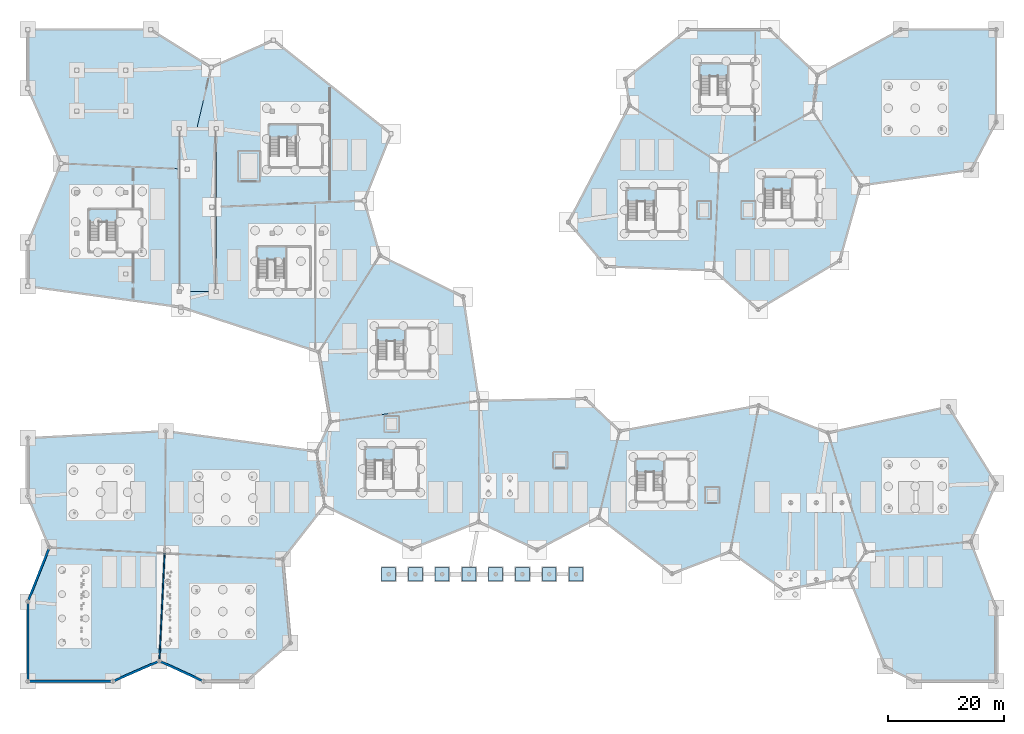
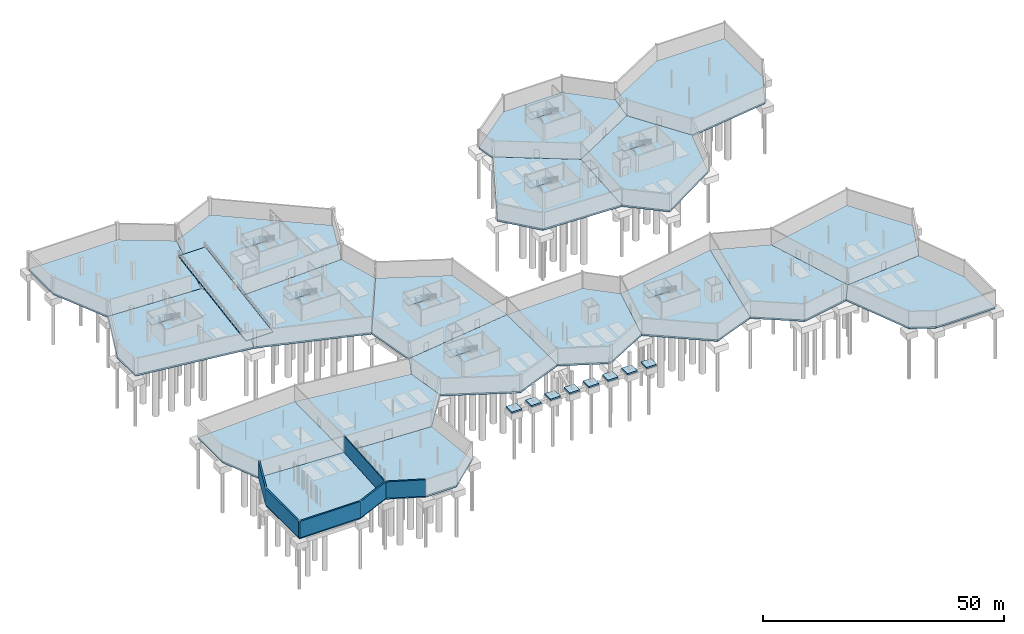
# One storey, part 25 of 37: 37 slabs, 6 walls, 9 elements without a shape of their own.
"""IFC4 building model written with IfcOpenShell, lengths in metres."""

from ifc_helpers import new_model, si_unit, direction, frame, frame_2d, origin, origin_with_axes, place, context, subcontext, project, spatial, polyline, rectangle, outline, extrude, material, layer, layer_set, type_object, element, aggregate, save


model = new_model("IFC4")

# Units and contexts
model_context = context("Model", 3, precision=1e-05, world=origin(), true_north=direction((0.0, 1.0)))
body_context = subcontext(model_context, "Body", "Model", "MODEL_VIEW")
ifc_project = project(units=[si_unit("LENGTHUNIT", "METRE"), si_unit("AREAUNIT", "SQUARE_METRE"), si_unit("VOLUMEUNIT", "CUBIC_METRE"), si_unit("PLANEANGLEUNIT", "RADIAN"), si_unit("MASSUNIT", "GRAM", prefix="KILO")], contexts=[model_context])

# Site, building, storey
site_placement = place(None, origin())
site = spatial("IfcSite", under=ifc_project, at=site_placement, CompositionType="ELEMENT")
building_placement = place(site_placement, origin())
building = spatial("IfcBuilding", under=site, at=building_placement, Name="Tameran Prism Museum", CompositionType="ELEMENT")
storey_placement = place(building_placement, frame((0.0, 0.0, -4.5)))
storey = spatial("IfcBuildingStorey", under=building, at=storey_placement, Name="B1", CompositionType="ELEMENT", Elevation=-4.5)

# Slabs
ifc_material_1 = material(Name="Concrete N40 (40 MPa)", Category="concrete")
ifc_layer_1 = layer(ifc_material_1, 0.360107421875)
ifc_layer_set_1 = layer_set([ifc_layer_1])
slab_type_1 = type_object("IfcSlabType", Name="SL-BASE-360", PredefinedType="BASESLAB", material=ifc_layer_set_1)
slab_1_placement = place(storey_placement, frame((0.0, 0.0, -0.3798828125)))
element("IfcSlab", 1, at=slab_1_placement, inside=storey, type_object=slab_type_1, Name="Colonnade Foundation Slab 1", PredefinedType="BASESLAB", context=body_context, shape_type="SweptSolid", body=[
    extrude(outline(polyline([(63.199951171875, 19.60009765625), (63.199951171875, 17.199951171875), (60.800048828125, 17.199951171875), (60.800048828125, 19.60009765625), (63.199951171875, 19.60009765625)])), origin(), (0.0, 0.0, 1.0), 0.3798828125),
])
slab_2_placement = place(storey_placement, frame((0.0, 0.0, -0.3798828125)))
element("IfcSlab", 2, at=slab_2_placement, inside=storey, type_object=slab_type_1, Name="Colonnade Foundation Slab 2", PredefinedType="BASESLAB", context=body_context, shape_type="SweptSolid", body=[
    extrude(outline(polyline([(67.800048828125, 19.60009765625), (67.800048828125, 17.199951171875), (65.39990234375, 17.199951171875), (65.39990234375, 19.60009765625), (67.800048828125, 19.60009765625)])), origin(), (0.0, 0.0, 1.0), 0.3798828125),
])
slab_3_placement = place(storey_placement, frame((0.0, 0.0, -0.3798828125)))
element("IfcSlab", 3, at=slab_3_placement, inside=storey, type_object=slab_type_1, Name="Colonnade Foundation Slab 3", PredefinedType="BASESLAB", context=body_context, shape_type="SweptSolid", body=[
    extrude(outline(polyline([(72.39990234375, 19.60009765625), (72.39990234375, 17.199951171875), (70.0, 17.199951171875), (70.0, 19.60009765625), (72.39990234375, 19.60009765625)])), origin(), (0.0, 0.0, 1.0), 0.3798828125),
])
slab_4_placement = place(storey_placement, frame((0.0, 0.0, -0.3798828125)))
element("IfcSlab", 4, at=slab_4_placement, inside=storey, type_object=slab_type_1, Name="Colonnade Foundation Slab 4", PredefinedType="BASESLAB", context=body_context, shape_type="SweptSolid", body=[
    extrude(outline(polyline([(77.0, 19.60009765625), (77.0, 17.199951171875), (74.60009765625, 17.199951171875), (74.60009765625, 19.60009765625), (77.0, 19.60009765625)])), origin(), (0.0, 0.0, 1.0), 0.3798828125),
])
slab_5_placement = place(storey_placement, frame((0.0, 0.0, -0.3798828125)))
element("IfcSlab", 5, at=slab_5_placement, inside=storey, type_object=slab_type_1, Name="Colonnade Foundation Slab 5", PredefinedType="BASESLAB", context=body_context, shape_type="SweptSolid", body=[
    extrude(outline(polyline([(81.60009765625, 19.60009765625), (81.60009765625, 17.199951171875), (79.199951171875, 17.199951171875), (79.199951171875, 19.60009765625), (81.60009765625, 19.60009765625)])), origin(), (0.0, 0.0, 1.0), 0.3798828125),
])
slab_6_placement = place(storey_placement, frame((0.0, 0.0, -0.3798828125)))
element("IfcSlab", 6, at=slab_6_placement, inside=storey, type_object=slab_type_1, Name="Colonnade Foundation Slab 6", PredefinedType="BASESLAB", context=body_context, shape_type="SweptSolid", body=[
    extrude(outline(polyline([(86.199951171875, 19.60009765625), (86.199951171875, 17.199951171875), (83.800048828125, 17.199951171875), (83.800048828125, 19.60009765625), (86.199951171875, 19.60009765625)])), origin(), (0.0, 0.0, 1.0), 0.3798828125),
])
slab_7_placement = place(storey_placement, frame((0.0, 0.0, -0.3798828125)))
element("IfcSlab", 7, at=slab_7_placement, inside=storey, type_object=slab_type_1, Name="Colonnade Foundation Slab 7", PredefinedType="BASESLAB", context=body_context, shape_type="SweptSolid", body=[
    extrude(outline(polyline([(90.800048828125, 19.60009765625), (90.800048828125, 17.199951171875), (88.39990234375, 17.199951171875), (88.39990234375, 19.60009765625), (90.800048828125, 19.60009765625)])), origin(), (0.0, 0.0, 1.0), 0.3798828125),
])
slab_8_placement = place(storey_placement, frame((0.0, 0.0, -0.3798828125)))
element("IfcSlab", 8, at=slab_8_placement, inside=storey, type_object=slab_type_1, Name="Colonnade Foundation Slab 8", PredefinedType="BASESLAB", context=body_context, shape_type="SweptSolid", body=[
    extrude(outline(polyline([(95.39990234375, 19.60009765625), (95.39990234375, 17.199951171875), (93.0, 17.199951171875), (93.0, 19.60009765625), (95.39990234375, 19.60009765625)])), origin(), (0.0, 0.0, 1.0), 0.3798828125),
])
ifc_material_2 = material(Name="Concrete N40 (40 MPa)", Category="concrete")
ifc_layer_2 = layer(ifc_material_2, 0.419921875)
ifc_layer_set_2 = layer_set([ifc_layer_2])
slab_type_2 = type_object("IfcSlabType", Name="SL-BASE-420", PredefinedType="BASESLAB", material=ifc_layer_set_2)
slab_9_placement = place(storey_placement, frame((0.0, 0.0, -0.419921875)))
element("IfcSlab", 9, at=slab_9_placement, inside=storey, type_object=slab_type_2, Name="Basement Base Slab P01", PredefinedType="BASESLAB", context=body_context, shape_type="SweptSolid", body=[
    extrude(outline(polyline([(99.39990234375, 71.300048828125), (117.89990234375, 70.60009765625), (118.800048828125, 89.10009765625), (103.39990234375, 99.0), (92.89990234375, 78.89990234375), (99.39990234375, 71.300048828125)])), origin(), (0.0, 0.0, 1.0), 0.419921875),
])
slab_10_placement = place(storey_placement, frame((0.0, 0.0, -0.419921875)))
element("IfcSlab", 10, at=slab_10_placement, inside=storey, type_object=slab_type_2, Name="Basement Base Slab P02", PredefinedType="BASESLAB", context=body_context, shape_type="SweptSolid", body=[
    extrude(outline(polyline([(117.89990234375, 70.60009765625), (125.5, 63.89990234375), (139.5, 72.300048828125), (143.10009765625, 85.199951171875), (134.89990234375, 98.0), (118.800048828125, 89.10009765625), (117.89990234375, 70.60009765625)])), origin(), (0.0, 0.0, 1.0), 0.419921875),
])
slab_11_placement = place(storey_placement, frame((0.0, 0.0, -0.419921875)))
element("IfcSlab", 11, at=slab_11_placement, inside=storey, type_object=slab_type_2, Name="Basement Base Slab P03", PredefinedType="BASESLAB", context=body_context, shape_type="SweptSolid", body=[
    extrude(outline(polyline([(103.39990234375, 99.0), (118.800048828125, 89.10009765625), (134.89990234375, 98.0), (135.699951171875, 104.199951171875), (127.5, 112.0), (113.39990234375, 112.0), (102.699951171875, 103.5), (103.39990234375, 99.0)])), origin(), (0.0, 0.0, 1.0), 0.419921875),
])
slab_12_placement = place(storey_placement, frame((0.0, 0.0, -0.419921875)))
element("IfcSlab", 12, at=slab_12_placement, inside=storey, type_object=slab_type_2, Name="Basement Base Slab P04", PredefinedType="BASESLAB", context=body_context, shape_type="SweptSolid", body=[
    extrude(outline(polyline([(134.89990234375, 98.0), (143.10009765625, 85.199951171875), (162.10009765625, 87.89990234375), (166.39990234375, 96.10009765625), (166.39990234375, 112.0), (150.0, 112.0), (135.699951171875, 104.199951171875), (134.89990234375, 98.0)])), origin(), (0.0, 0.0, 1.0), 0.419921875),
])
slab_13_placement = place(storey_placement, frame((0.0, 0.0, -0.419921875)))
element("IfcSlab", 13, at=slab_13_placement, inside=storey, type_object=slab_type_2, Name="Basement Base Slab P05", PredefinedType="BASESLAB", context=body_context, shape_type="SweptSolid", body=[
    extrude(outline(polyline([(49.60009765625, 39.5), (51.0, 30.199951171875), (66.0, 22.800048828125), (77.5, 27.39990234375), (77.5, 48.199951171875), (52.0, 44.60009765625), (49.60009765625, 39.5)])), origin(), (0.0, 0.0, 1.0), 0.419921875),
])
slab_14_placement = place(storey_placement, frame((0.0, 0.0, -0.419921875)))
element("IfcSlab", 14, at=slab_14_placement, inside=storey, type_object=slab_type_2, Name="Basement Base Slab P06", PredefinedType="BASESLAB", context=body_context, shape_type="SweptSolid", body=[
    extrude(outline(polyline([(77.5, 27.39990234375), (87.5, 22.60009765625), (98.10009765625, 28.199951171875), (101.699951171875, 43.0), (95.800048828125, 48.60009765625), (77.5, 48.199951171875), (77.5, 27.39990234375)])), origin(), (0.0, 0.0, 1.0), 0.419921875),
])
slab_15_placement = place(storey_placement, frame((0.0, 0.0, -0.419921875)))
element("IfcSlab", 15, at=slab_15_placement, inside=storey, type_object=slab_type_2, Name="Basement Base Slab P07", PredefinedType="BASESLAB", context=body_context, shape_type="SweptSolid", body=[
    extrude(outline(polyline([(50.0, 56.60009765625), (52.0, 44.60009765625), (77.5, 48.199951171875), (74.800048828125, 66.10009765625), (60.5, 73.199951171875), (50.0, 56.60009765625)])), origin(), (0.0, 0.0, 1.0), 0.419921875),
])
slab_16_placement = place(storey_placement, frame((0.0, 0.0, -0.419921875)))
element("IfcSlab", 16, at=slab_16_placement, inside=storey, type_object=slab_type_2, Name="Basement Base Slab P08", PredefinedType="BASESLAB", context=body_context, shape_type="SweptSolid", body=[
    extrude(outline(polyline([(98.10009765625, 28.199951171875), (110.699951171875, 18.5), (120.699951171875, 22.300048828125), (125.60009765625, 47.39990234375), (101.699951171875, 43.0), (98.10009765625, 28.199951171875)])), origin(), (0.0, 0.0, 1.0), 0.419921875),
])
slab_17_placement = place(storey_placement, frame((0.0, 0.0, -0.419921875)))
element("IfcSlab", 17, at=slab_17_placement, inside=storey, type_object=slab_type_2, Name="Basement Base Slab P09", PredefinedType="BASESLAB", context=body_context, shape_type="SweptSolid", body=[
    extrude(outline(polyline([(137.5, 42.699951171875), (125.60009765625, 47.39990234375), (120.699951171875, 22.300048828125), (129.89990234375, 15.699951171875), (141.10009765625, 17.89990234375), (144.0, 22.199951171875), (137.5, 42.699951171875)])), origin(), (0.0, 0.0, 1.0), 0.419921875),
])
slab_18_placement = place(storey_placement, frame((0.0, 0.0, -0.419921875)))
element("IfcSlab", 18, at=slab_18_placement, inside=storey, type_object=slab_type_2, Name="Basement Base Slab P10", PredefinedType="BASESLAB", context=body_context, shape_type="SweptSolid", body=[
    extrude(outline(polyline([(141.10009765625, 17.89990234375), (147.300048828125, 2.60009765625), (152.300048828125, 0.0), (166.39990234375, 0.0), (166.39990234375, 12.60009765625), (162.0, 24.0), (144.0, 22.199951171875), (141.10009765625, 17.89990234375)])), origin(), (0.0, 0.0, 1.0), 0.419921875),
])
slab_19_placement = place(storey_placement, frame((0.0, 0.0, -0.419921875)))
element("IfcSlab", 19, at=slab_19_placement, inside=storey, type_object=slab_type_2, Name="Basement Base Slab P11", PredefinedType="BASESLAB", context=body_context, shape_type="SweptSolid", body=[
    extrude(outline(polyline([(23.5, 22.0), (3.699951171875, 23.0), (0.0, 13.699951171875), (0.0, 0.0), (14.60009765625, 0.0), (22.60009765625, 3.5), (23.5, 22.0)])), origin(), (0.0, 0.0, 1.0), 0.419921875),
])
slab_20_placement = place(storey_placement, frame((0.0, 0.0, -0.419921875)))
element("IfcSlab", 20, at=slab_20_placement, inside=storey, type_object=slab_type_2, Name="Basement Base Slab P12", PredefinedType="BASESLAB", context=body_context, shape_type="SweptSolid", body=[
    extrude(outline(polyline([(22.60009765625, 3.5), (30.199951171875, 0.0), (37.60009765625, 0.0), (45.10009765625, 6.60009765625), (43.800048828125, 21.0), (23.5, 22.0), (22.60009765625, 3.5)])), origin(), (0.0, 0.0, 1.0), 0.419921875),
])
slab_21_placement = place(storey_placement, frame((0.0, 0.0, -0.419921875)))
element("IfcSlab", 21, at=slab_21_placement, inside=storey, type_object=slab_type_2, Name="Basement Base Slab P13", PredefinedType="BASESLAB", context=body_context, shape_type="SweptSolid", body=[
    extrude(outline(polyline([(23.699951171875, 43.0), (0.0, 41.800048828125), (0.0, 31.800048828125), (3.699951171875, 23.0), (23.5, 22.0), (23.699951171875, 43.0)])), origin(), (0.0, 0.0, 1.0), 0.419921875),
])
slab_22_placement = place(storey_placement, frame((0.0, 0.0, -0.419921875)))
element("IfcSlab", 22, at=slab_22_placement, inside=storey, type_object=slab_type_2, Name="Basement Base Slab P14", PredefinedType="BASESLAB", context=body_context, shape_type="SweptSolid", body=[
    extrude(outline(polyline([(23.5, 22.0), (43.800048828125, 21.0), (51.0, 30.199951171875), (49.60009765625, 39.5), (23.699951171875, 43.0), (23.5, 22.0)])), origin(), (0.0, 0.0, 1.0), 0.419921875),
])
slab_23_placement = place(storey_placement, frame((0.0, 0.0, -0.419921875)))
element("IfcSlab", 23, at=slab_23_placement, inside=storey, type_object=slab_type_2, Name="Basement Base Slab P15", PredefinedType="BASESLAB", context=body_context, shape_type="SweptSolid", body=[
    extrude(outline(polyline([(31.60009765625, 81.5), (57.800048828125, 82.60009765625), (60.5, 73.199951171875), (50.0, 56.60009765625), (26.300048828125, 64.300048828125), (27.116943359375, 66.949951171875), (32.419921875, 66.949951171875), (32.419921875, 68.89990234375), (27.717041015625, 68.89990234375), (31.60009765625, 81.5)])), origin(), (0.0, 0.0, 1.0), 0.419921875),
])
slab_24_placement = place(storey_placement, frame((0.0, 0.0, -0.419921875)))
element("IfcSlab", 24, at=slab_24_placement, inside=storey, type_object=slab_type_2, Name="Basement Base Slab P16", PredefinedType="BASESLAB", context=body_context, shape_type="SweptSolid", body=[
    extrude(outline(polyline([(31.60009765625, 81.5), (57.800048828125, 82.60009765625), (62.39990234375, 94.10009765625), (42.199951171875, 110.199951171875), (31.5, 105.5), (27.39990234375, 88.0), (31.60009765625, 81.5)])), origin(), (0.0, 0.0, 1.0), 0.419921875),
])
slab_25_placement = place(storey_placement, frame((0.0, 0.0, -0.419921875)))
element("IfcSlab", 25, at=slab_25_placement, inside=storey, type_object=slab_type_2, Name="Basement Base Slab P17", PredefinedType="BASESLAB", context=body_context, shape_type="SweptSolid", body=[
    extrude(outline(polyline([(26.300048828125, 64.300048828125), (0.0, 67.89990234375), (0.0, 75.39990234375), (5.699951171875, 89.0), (27.39990234375, 88.0), (31.60009765625, 81.5), (27.717041015625, 68.89990234375), (25.97998046875, 68.89990234375), (25.97998046875, 66.949951171875), (27.116943359375, 66.949951171875), (26.300048828125, 64.300048828125)])), origin(), (0.0, 0.0, 1.0), 0.419921875),
])
slab_26_placement = place(storey_placement, frame((0.0, 0.0, -0.419921875)))
element("IfcSlab", 26, at=slab_26_placement, inside=storey, type_object=slab_type_2, Name="Basement Base Slab P18", PredefinedType="BASESLAB", context=body_context, shape_type="SweptSolid", body=[
    extrude(outline(polyline([(5.699951171875, 89.0), (27.39990234375, 88.0), (31.5, 105.5), (21.10009765625, 112.0), (0.0, 112.0), (0.0, 101.89990234375), (5.699951171875, 89.0)])), origin(), (0.0, 0.0, 1.0), 0.419921875),
])
slab_27_placement = place(storey_placement, frame((0.0, 0.0, -0.419921875)))
element("IfcSlab", 27, at=slab_27_placement, inside=storey, type_object=slab_type_2, Name="Basement Base Slab P19", PredefinedType="BASESLAB", context=body_context, shape_type="SweptSolid", body=[
    extrude(outline(polyline([(144.0, 22.199951171875), (162.0, 24.0), (166.39990234375, 34.0), (158.199951171875, 47.199951171875), (137.5, 42.699951171875), (144.0, 22.199951171875)])), origin(), (0.0, 0.0, 1.0), 0.419921875),
])

# Stair, slab
ifc_material_3 = material(Name="Concrete N40 (40 MPa)", Category="concrete")
stair_type = type_object("IfcStairType", Name="ST-CORE-45", PredefinedType="HALF_TURN_STAIR", material=ifc_material_3)
stair_1_placement = place(storey_placement, origin())
stair_1 = element("IfcStair", 28, at=stair_1_placement, inside=storey, type_object=stair_type, Name="Fire-Isolated Stair ST-01-B1", PredefinedType="HALF_TURN_STAIR")
ifc_material_4 = material(Name="Concrete N40 (40 MPa)", Category="concrete")
ifc_layer_3 = layer(ifc_material_4, 0.18505859375)
ifc_layer_set_3 = layer_set([ifc_layer_3])
slab_type_3 = type_object("IfcSlabType", Name="SL-LND-185", PredefinedType="LANDING", material=ifc_layer_set_3)
slab_28_placement = place(storey_placement, frame((0.0, 0.0, 2.06494140625)))
slab_28 = element("IfcSlab", 29, at=slab_28_placement, type_object=slab_type_3, Name="ST-01-B1 landing 1", PredefinedType="LANDING", context=body_context, shape_type="SweptSolid", body=[
    extrude(outline(polyline([(102.8798828125, 82.4150390625), (107.8701171875, 82.4150390625), (107.8701171875, 84.719970703125), (102.8798828125, 84.719970703125), (102.8798828125, 82.4150390625)])), origin(), (0.0, 0.0, 1.0), 0.18505859375),
])
aggregate(stair_1, [slab_28])

stair_2_placement = place(storey_placement, origin())
stair_2 = element("IfcStair", 30, at=stair_2_placement, inside=storey, type_object=stair_type, Name="Fire-Isolated Stair ST-02-B1", PredefinedType="HALF_TURN_STAIR")
slab_29_placement = place(storey_placement, frame((0.0, 0.0, 2.06494140625)))
slab_29 = element("IfcSlab", 31, at=slab_29_placement, type_object=slab_type_3, Name="ST-02-B1 landing 1", PredefinedType="LANDING", context=body_context, shape_type="SweptSolid", body=[
    extrude(outline(polyline([(126.3798828125, 84.4150390625), (131.3701171875, 84.4150390625), (131.3701171875, 86.719970703125), (126.3798828125, 86.719970703125), (126.3798828125, 84.4150390625)])), origin(), (0.0, 0.0, 1.0), 0.18505859375),
])
aggregate(stair_2, [slab_29])

stair_3_placement = place(storey_placement, origin())
stair_3 = element("IfcStair", 32, at=stair_3_placement, inside=storey, type_object=stair_type, Name="Fire-Isolated Stair ST-07-B1", PredefinedType="HALF_TURN_STAIR")
slab_30_placement = place(storey_placement, frame((0.0, 0.0, 2.06494140625)))
slab_30 = element("IfcSlab", 33, at=slab_30_placement, type_object=slab_type_3, Name="ST-07-B1 landing 1", PredefinedType="LANDING", context=body_context, shape_type="SweptSolid", body=[
    extrude(outline(polyline([(115.3798828125, 103.9150390625), (120.3701171875, 103.9150390625), (120.3701171875, 106.219970703125), (115.3798828125, 106.219970703125), (115.3798828125, 103.9150390625)])), origin(), (0.0, 0.0, 1.0), 0.18505859375),
])
aggregate(stair_3, [slab_30])

stair_4_placement = place(storey_placement, origin())
stair_4 = element("IfcStair", 34, at=stair_4_placement, inside=storey, type_object=stair_type, Name="Fire-Isolated Stair ST-03-B1", PredefinedType="HALF_TURN_STAIR")
slab_31_placement = place(storey_placement, frame((0.0, 0.0, 2.06494140625)))
slab_31 = element("IfcSlab", 35, at=slab_31_placement, type_object=slab_type_3, Name="ST-03-B1 landing 1", PredefinedType="LANDING", context=body_context, shape_type="SweptSolid", body=[
    extrude(outline(polyline([(57.8798828125, 37.9150390625), (62.8701171875, 37.9150390625), (62.8701171875, 40.219970703125), (57.8798828125, 40.219970703125), (57.8798828125, 37.9150390625)])), origin(), (0.0, 0.0, 1.0), 0.18505859375),
])
aggregate(stair_4, [slab_31])

stair_5_placement = place(storey_placement, origin())
stair_5 = element("IfcStair", 36, at=stair_5_placement, inside=storey, type_object=stair_type, Name="Fire-Isolated Stair ST-08-B1", PredefinedType="HALF_TURN_STAIR")
slab_32_placement = place(storey_placement, frame((0.0, 0.0, 2.06494140625)))
slab_32 = element("IfcSlab", 37, at=slab_32_placement, type_object=slab_type_3, Name="ST-08-B1 landing 1", PredefinedType="LANDING", context=body_context, shape_type="SweptSolid", body=[
    extrude(outline(polyline([(59.8798828125, 58.4150390625), (64.8701171875, 58.4150390625), (64.8701171875, 60.719970703125), (59.8798828125, 60.719970703125), (59.8798828125, 58.4150390625)])), origin(), (0.0, 0.0, 1.0), 0.18505859375),
])
aggregate(stair_5, [slab_32])

stair_6_placement = place(storey_placement, origin())
stair_6 = element("IfcStair", 38, at=stair_6_placement, inside=storey, type_object=stair_type, Name="Fire-Isolated Stair ST-04-B1", PredefinedType="HALF_TURN_STAIR")
slab_33_placement = place(storey_placement, frame((0.0, 0.0, 2.06494140625)))
slab_33 = element("IfcSlab", 39, at=slab_33_placement, type_object=slab_type_3, Name="ST-04-B1 landing 1", PredefinedType="LANDING", context=body_context, shape_type="SweptSolid", body=[
    extrude(outline(polyline([(104.3798828125, 35.9150390625), (109.3701171875, 35.9150390625), (109.3701171875, 38.219970703125), (104.3798828125, 38.219970703125), (104.3798828125, 35.9150390625)])), origin(), (0.0, 0.0, 1.0), 0.18505859375),
])
aggregate(stair_6, [slab_33])

stair_7_placement = place(storey_placement, origin())
stair_7 = element("IfcStair", 40, at=stair_7_placement, inside=storey, type_object=stair_type, Name="Fire-Isolated Stair ST-05-B1", PredefinedType="HALF_TURN_STAIR")
slab_34_placement = place(storey_placement, frame((0.0, 0.0, 2.06494140625)))
slab_34 = element("IfcSlab", 41, at=slab_34_placement, type_object=slab_type_3, Name="ST-05-B1 landing 1", PredefinedType="LANDING", context=body_context, shape_type="SweptSolid", body=[
    extrude(outline(polyline([(39.3798828125, 72.4150390625), (44.3701171875, 72.4150390625), (44.3701171875, 74.719970703125), (39.3798828125, 74.719970703125), (39.3798828125, 72.4150390625)])), origin(), (0.0, 0.0, 1.0), 0.18505859375),
])
aggregate(stair_7, [slab_34])

stair_8_placement = place(storey_placement, origin())
stair_8 = element("IfcStair", 42, at=stair_8_placement, inside=storey, type_object=stair_type, Name="Fire-Isolated Stair ST-09-B1", PredefinedType="HALF_TURN_STAIR")
slab_35_placement = place(storey_placement, frame((0.0, 0.0, 2.06494140625)))
slab_35 = element("IfcSlab", 43, at=slab_35_placement, type_object=slab_type_3, Name="ST-09-B1 landing 1", PredefinedType="LANDING", context=body_context, shape_type="SweptSolid", body=[
    extrude(outline(polyline([(10.3798828125, 78.9150390625), (15.3701171875, 78.9150390625), (15.3701171875, 81.219970703125), (10.3798828125, 81.219970703125), (10.3798828125, 78.9150390625)])), origin(), (0.0, 0.0, 1.0), 0.18505859375),
])
aggregate(stair_8, [slab_35])

stair_9_placement = place(storey_placement, origin())
stair_9 = element("IfcStair", 44, at=stair_9_placement, inside=storey, type_object=stair_type, Name="Fire-Isolated Stair ST-14-B1", PredefinedType="HALF_TURN_STAIR")
slab_36_placement = place(storey_placement, frame((0.0, 0.0, 2.06494140625)))
slab_36 = element("IfcSlab", 45, at=slab_36_placement, type_object=slab_type_3, Name="ST-14-B1 landing 1", PredefinedType="LANDING", context=body_context, shape_type="SweptSolid", body=[
    extrude(outline(polyline([(41.3798828125, 93.4150390625), (46.3701171875, 93.4150390625), (46.3701171875, 95.719970703125), (41.3798828125, 95.719970703125), (41.3798828125, 93.4150390625)])), origin(), (0.0, 0.0, 1.0), 0.18505859375),
])
aggregate(stair_9, [slab_36])

# Slab
ifc_material_5 = material(Name="Concrete N40 (40 MPa)", Category="concrete")
ifc_layer_4 = layer(ifc_material_5, 0.280029296875)
ifc_layer_set_4 = layer_set([ifc_layer_4])
slab_type_4 = type_object("IfcSlabType", Name="SL-RAMP-280", PredefinedType="FLOOR", material=ifc_layer_set_4)
slab_37_placement = place(storey_placement, frame((26.0, 67.0, 0.0), z_axis=(0.0, -0.158678095384, 0.987330371277), x_axis=(1.0, 0.0, 0.0)))
element("IfcSlab", 46, at=slab_37_placement, inside=storey, type_object=slab_type_4, Name="Structural Vehicle Ramp Slab VRF-01", PredefinedType="FLOOR", context=body_context, shape_type="SweptSolid", body=[
    extrude(outline(polyline([(0.0, 0.0), (6.39990234375, 0.0), (6.39990234375, 28.359301824974466), (0.0, 28.359301824974466), (0.0, 0.0)])), origin(), (0.0, 0.0, -1.0), 0.280029296875),
])

# Walls
ifc_material_6 = material(Name="Concrete N40 (40 MPa)", Category="concrete")
ifc_layer_5 = layer(ifc_material_6, 0.3798828125)
ifc_layer_set_5 = layer_set([ifc_layer_5])
wall_type_1 = type_object("IfcWallType", Name="EW-RET-380", PredefinedType="USERDEFINED", material=ifc_layer_set_5)
wall_1_placement = place(storey_placement, frame((3.681884765625, 22.9541015625, 0.0), z_axis=(0.0, 0.0, 1.0), x_axis=(-0.369678371729, -0.929159782533, 0.0)))
element("IfcWall", 47, at=wall_1_placement, inside=storey, type_object=wall_type_1, Name="Basement Retaining Wall RW-037", ObjectType="RETAININGWALL", PredefinedType="USERDEFINED", context=body_context, shape_type="SweptSolid", body=[
    extrude(rectangle(XDim=9.959716796875, YDim=0.3798828125, at=frame_2d((4.97998046875, 0.0))), origin(), (0.0, 0.0, 1.0), 4.139892578125),
])
wall_2_placement = place(storey_placement, frame((0.0, 13.699951171875, 0.0), z_axis=(0.0, 0.0, 1.0), x_axis=(0.0, -1.0, 0.0)))
element("IfcWall", 48, at=wall_2_placement, inside=storey, type_object=wall_type_1, Name="Basement Retaining Wall RW-038", ObjectType="RETAININGWALL", PredefinedType="USERDEFINED", context=body_context, shape_type="SweptSolid", body=[
    extrude(rectangle(XDim=13.699951171875, YDim=0.3798828125, at=frame_2d((6.85009765625, 0.0))), origin(), (0.0, 0.0, 1.0), 4.139892578125),
])
wall_3_placement = place(storey_placement, origin_with_axes())
element("IfcWall", 49, at=wall_3_placement, inside=storey, type_object=wall_type_1, Name="Basement Retaining Wall RW-039", ObjectType="RETAININGWALL", PredefinedType="USERDEFINED", context=body_context, shape_type="SweptSolid", body=[
    extrude(rectangle(XDim=14.60009765625, YDim=0.3798828125, at=frame_2d((7.300048828125, 0.0))), origin(), (0.0, 0.0, 1.0), 4.139892578125),
])
wall_4_placement = place(storey_placement, frame((14.60009765625, 0.0, 0.0), z_axis=(0.0, 0.0, 1.0), x_axis=(0.916150235388, 0.400835061089, 0.0)))
element("IfcWall", 50, at=wall_4_placement, inside=storey, type_object=wall_type_1, Name="Basement Retaining Wall RW-040", ObjectType="RETAININGWALL", PredefinedType="USERDEFINED", context=body_context, shape_type="SweptSolid", body=[
    extrude(rectangle(XDim=8.681884765625, YDim=0.3798828125, at=frame_2d((4.3408203125, 0.0))), origin(), (0.0, 0.0, 1.0), 4.139892578125),
])
wall_5_placement = place(storey_placement, frame((22.64501953125, 3.47900390625, 0.0), z_axis=(0.0, 0.0, 1.0), x_axis=(0.908319871589, -0.418276237523, 0.0)))
element("IfcWall", 51, at=wall_5_placement, inside=storey, type_object=wall_type_1, Name="Basement Retaining Wall RW-041", ObjectType="RETAININGWALL", PredefinedType="USERDEFINED", context=body_context, shape_type="SweptSolid", body=[
    extrude(rectangle(XDim=8.3173828125, YDim=0.3798828125, at=frame_2d((4.15869140625, 0.0))), origin(), (0.0, 0.0, 1.0), 4.139892578125),
])
ifc_material_7 = material(Name="Concrete N40 (40 MPa)", Category="concrete")
ifc_layer_6 = layer(ifc_material_7, 0.22509765625)
ifc_layer_set_6 = layer_set([ifc_layer_6])
wall_type_2 = type_object("IfcWallType", Name="IW-CMP-225", PredefinedType="SOLIDWALL", material=ifc_layer_set_6)
wall_6_placement = place(storey_placement, frame((22.60009765625, 3.5, 0.0), z_axis=(0.0, 0.0, 1.0), x_axis=(0.048585922438, 0.998819006698, 0.0)))
element("IfcWall", 52, at=wall_6_placement, inside=storey, type_object=wall_type_2, Name="Compartment Wall IW-0016", PredefinedType="SOLIDWALL", context=body_context, shape_type="SweptSolid", body=[
    extrude(rectangle(XDim=18.52197265625, YDim=0.22509765625, at=frame_2d((9.260986328125, 0.0))), origin(), (0.0, 0.0, 1.0), 4.139892578125),
])

save(model, "model.ifc")
